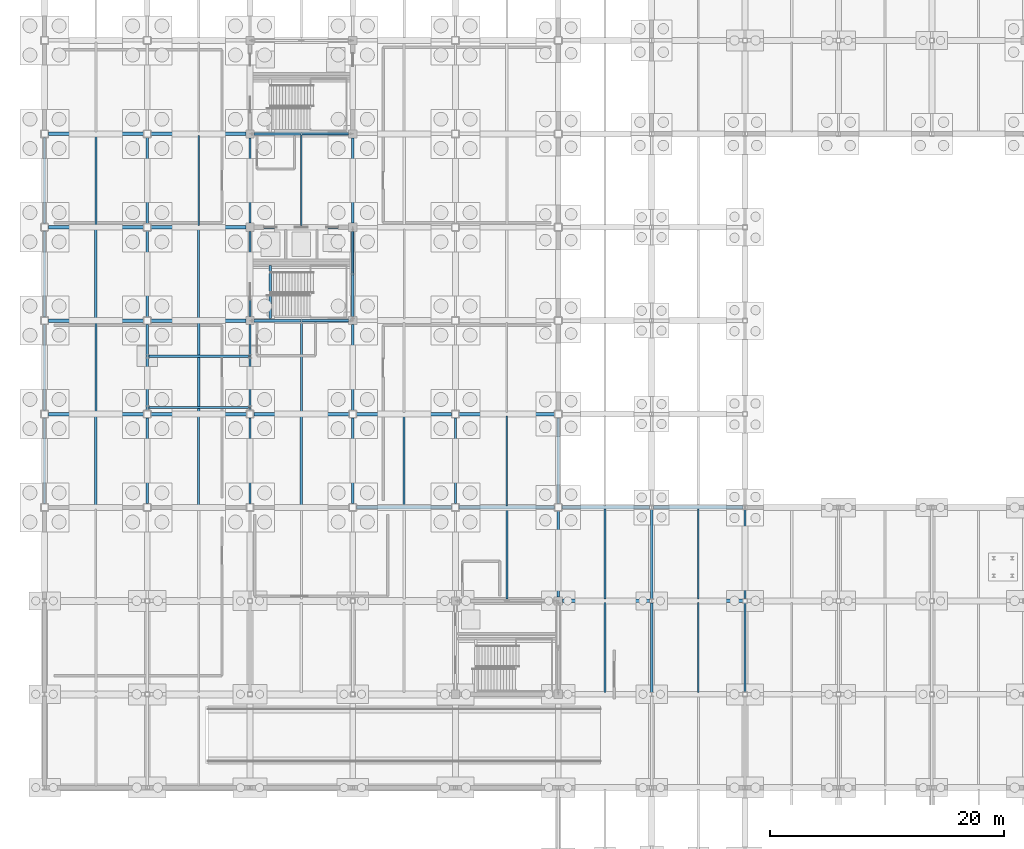
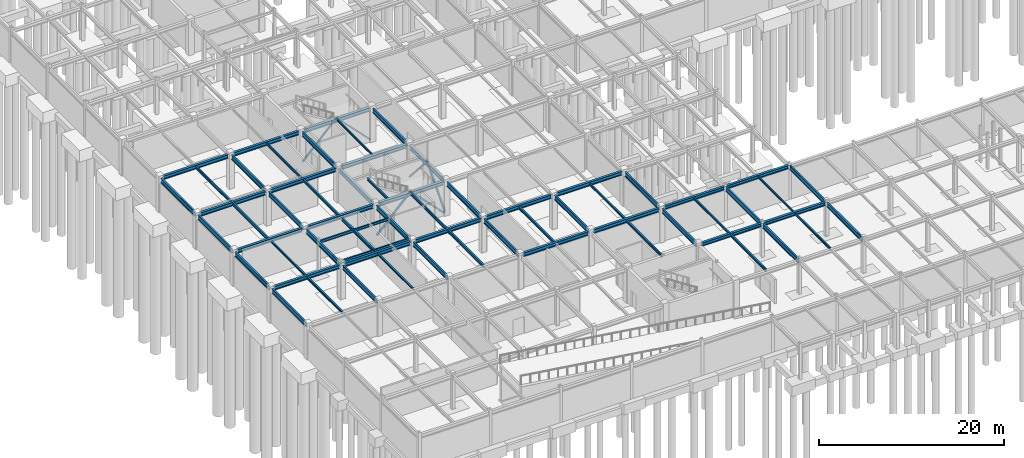
# One storey, part 33 of 72: 64 beams, 6 members.
"""IFC4 building model written with IfcOpenShell, lengths in metres."""

import ifcopenshell
import ifcopenshell.guid

model = None  # the IFC model being written
_history = None  # IfcOwnerHistory: only IFC2X3 demands one
_inside = {}  # id of a spatial element -> (the spatial element, [elements in it])
_under = {}  # id of a project, library or spatial element -> (it, [spatial elements below it])
_declared = {}  # id of a project -> (the project, [libraries it declares])
_typed = {}  # id of a type object -> (the type object, [elements of that type])
_made_of = {}  # id of a material, layer set ... -> (it, [elements and type objects made of it])


def new_model(schema):
    """Start an empty IFC model of exactly this schema.

    Asked for "IFC4X3", IfcOpenShell would pick the latest addendum, in which some entities
    have other attributes; the version numbers below select the first issue.
    IFC2X3 requires an IfcOwnerHistory on every rooted entity: one is made here for all.
    """
    global model, _history
    if schema == "IFC4X3":
        model = ifcopenshell.file(schema_version=(4, 3, 0, 0))
    else:
        model = ifcopenshell.file(schema=schema)
    _inside.clear()
    _under.clear()
    _declared.clear()
    _typed.clear()
    _made_of.clear()
    _history = None
    if model.schema == "IFC2X3":
        org = make("IfcOrganization", Name="unknown")
        user = make(
            "IfcPersonAndOrganization",
            ThePerson=make("IfcPerson", FamilyName="unknown"),
            TheOrganization=org,
        )
        app = make(
            "IfcApplication",
            ApplicationDeveloper=org,
            Version="unknown",
            ApplicationFullName="unknown",
            ApplicationIdentifier="unknown",
        )
        _history = make(
            "IfcOwnerHistory",
            OwningUser=user,
            OwningApplication=app,
            ChangeAction="ADDED",
            CreationDate=0,
        )
    return model


def make(cls, **values):
    """One entity of the class cls with the attributes given. An attribute that is None is left unset."""
    return model.create_entity(
        cls, **{name: value for name, value in values.items() if value is not None}
    )


def rooted(cls, **values):
    """An entity with a GlobalId (a new one), such as an element, a storey or a relation."""
    return make(cls, GlobalId=ifcopenshell.guid.new(), OwnerHistory=_history, **values)


def si_unit(unit_type, name, prefix=None):
    """IfcSIUnit, for example si_unit("LENGTHUNIT", "METRE", prefix="MILLI")."""
    return make("IfcSIUnit", UnitType=unit_type, Prefix=prefix, Name=name)


def assignment(units):
    """IfcUnitAssignment: the units of a project."""
    return None if units is None else make("IfcUnitAssignment", Units=units)


def point(xyz):
    """IfcCartesianPoint."""
    return None if xyz is None else make("IfcCartesianPoint", Coordinates=xyz)


def direction(xyz):
    """IfcDirection."""
    return None if xyz is None else make("IfcDirection", DirectionRatios=xyz)


def frame(location, z_axis=None, x_axis=None):
    """IfcAxis2Placement3D, a coordinate frame: its origin and axes. An axis left out is left unset."""
    return make(
        "IfcAxis2Placement3D",
        Location=point(location),
        Axis=direction(z_axis),
        RefDirection=direction(x_axis),
    )


def frame_2d(location, x_axis=None):
    """IfcAxis2Placement2D, a coordinate frame in the plane: its origin and x axis."""
    return make(
        "IfcAxis2Placement2D", Location=point(location), RefDirection=direction(x_axis)
    )


def origin():
    """The frame at (0, 0, 0) with its axes left unset."""
    return frame((0.0, 0.0, 0.0))


def origin_2d():
    """The frame at (0, 0) in the plane with its x axis left unset."""
    return frame_2d((0.0, 0.0))


def place(relative_to, where):
    """IfcLocalPlacement: puts the frame where relative to a parent placement (None: the world)."""
    return make(
        "IfcLocalPlacement", PlacementRelTo=relative_to, RelativePlacement=where
    )


def context(
    kind, dimensions, precision=None, world=None, true_north=None, identifier=None
):
    """IfcGeometricRepresentationContext, for example the 3D "Model" context."""
    return make(
        "IfcGeometricRepresentationContext",
        ContextIdentifier=identifier,
        ContextType=kind,
        CoordinateSpaceDimension=dimensions,
        Precision=precision,
        WorldCoordinateSystem=world,
        TrueNorth=true_north,
    )


def subcontext(parent, identifier, kind, view, scale=None):
    """IfcGeometricRepresentationSubContext, for example "Body" below "Model"."""
    return make(
        "IfcGeometricRepresentationSubContext",
        ContextIdentifier=identifier,
        ContextType=kind,
        ParentContext=parent,
        TargetScale=scale,
        TargetView=view,
    )


def project(units=None, contexts=None):
    """IfcProject with its units and contexts."""
    return rooted(
        "IfcProject",
        Name="project",
        RepresentationContexts=contexts,
        UnitsInContext=assignment(units),
    )


def spatial(cls, under=None, at=None, **own):
    """A site, building, storey or space (cls), placed at a placement, below another one or the project."""
    s = rooted(cls, ObjectPlacement=at, **own)
    if under is not None:
        _under.setdefault(under.id(), (under, []))[1].append(s)
    return s


def profile(cls, at=None, kind="AREA", **sizes):
    """A parametric profile (cls). Its sizes go by their IFC names, for example OverallWidth=200.0."""
    return make(cls, ProfileType=kind, Position=at, **sizes)


def hollow_rectangle(**sizes):
    """IfcRectangleHollowProfileDef."""
    return profile("IfcRectangleHollowProfileDef", **sizes)


def i_section(**sizes):
    """IfcIShapeProfileDef."""
    return profile("IfcIShapeProfileDef", **sizes)


def extrude(swept, where, along, depth):
    """IfcExtrudedAreaSolid: the profile swept, set in the frame where, extruded along a direction by depth."""
    return make(
        "IfcExtrudedAreaSolid",
        SweptArea=swept,
        Position=where,
        ExtrudedDirection=direction(along),
        Depth=depth,
    )


def shape(context_of_items, identifier, shape_type, items):
    """IfcShapeRepresentation: the items that make up one representation, for example the "Body"."""
    return make(
        "IfcShapeRepresentation",
        ContextOfItems=context_of_items,
        RepresentationIdentifier=identifier,
        RepresentationType=shape_type,
        Items=items,
    )


def material(Name=None, Category=None):
    """IfcMaterial."""
    return make("IfcMaterial", Name=Name, Category=Category)


def material_profile(
    of_material, cross_section, Name=None, Category=None, Priority=None
):
    """IfcMaterialProfile: a cross section and its material."""
    return make(
        "IfcMaterialProfile",
        Name=Name,
        Material=of_material,
        Profile=cross_section,
        Priority=Priority,
        Category=Category,
    )


def profile_set(profiles, Name=None, composite=None):
    """IfcMaterialProfileSet."""
    return make(
        "IfcMaterialProfileSet",
        Name=Name,
        MaterialProfiles=profiles,
        CompositeProfile=composite,
    )


def made_of(thing, what):
    """Note that an element or type object is made of a material, layer set ...; save() writes the relation."""
    if what is not None:
        _made_of.setdefault(what.id(), (what, []))[1].append(thing)
    return thing


def type_object(cls, material=None, **own):
    """A type object (cls), such as IfcWallType, which elements share."""
    return made_of(rooted(cls, **own), material)


def element(
    cls,
    number,
    at=None,
    inside=None,
    cuts=None,
    type_object=None,
    material=None,
    context=None,
    identifier="Body",
    shape_type=None,
    held_by="IfcProductDefinitionShape",
    body=None,
    shapes=None,
    **own,
):
    """One element of the class cls, such as IfcWall. Its Tag is "e" and its number.

    at: its placement. inside: the storey or other place that contains it. cuts: it is an
    opening in that element (IfcRelVoidsElement). A single representation is given by context,
    identifier, shape_type and body (its items); several are given by shapes. held_by: the class
    of the entity that holds the representations. save() writes the other relations.
    """
    e = rooted(cls, Tag="e%d" % number, ObjectPlacement=at, **own)
    if body is not None:
        shapes = [shape(context, identifier, shape_type, body)]
    if shapes is not None:
        e.Representation = make(held_by, Representations=shapes)
    if inside is not None:
        _inside.setdefault(inside.id(), (inside, []))[1].append(e)
    if cuts is not None:
        rooted(
            "IfcRelVoidsElement", RelatingBuildingElement=cuts, RelatedOpeningElement=e
        )
    if type_object is not None:
        _typed.setdefault(type_object.id(), (type_object, []))[1].append(e)
    return made_of(e, material)


def aggregate(whole, parts):
    """IfcRelAggregates: a whole, such as a stair, and the parts it consists of."""
    return rooted("IfcRelAggregates", RelatingObject=whole, RelatedObjects=parts)


def save(model, path):
    """Write the relations noted so far, then the file.

    IfcRelAggregates (storeys below a building ...), IfcRelContainedInSpatialStructure (elements
    in a storey), IfcRelDefinesByType, IfcRelAssociatesMaterial and IfcRelDeclares: one each for
    every whole, place, type object, material and project.
    """
    for whole, parts in _under.values():
        aggregate(whole, parts)
    for where, things in _inside.values():
        rooted(
            "IfcRelContainedInSpatialStructure",
            RelatedElements=things,
            RelatingStructure=where,
        )
    for kind, things in _typed.values():
        rooted("IfcRelDefinesByType", RelatedObjects=things, RelatingType=kind)
    for what, things in _made_of.values():
        rooted("IfcRelAssociatesMaterial", RelatedObjects=things, RelatingMaterial=what)
    for by, libraries in _declared.values():
        rooted("IfcRelDeclares", RelatingContext=by, RelatedDefinitions=libraries)
    model.write(path)


model = new_model("IFC4")

# Units and contexts
model_context = context("Model", 3, precision=1e-05, world=origin(), true_north=direction((0.0, 1.0)))
body_context = subcontext(model_context, "Body", "Model", "MODEL_VIEW")
ifc_project = project(units=[si_unit("LENGTHUNIT", "METRE"), si_unit("AREAUNIT", "SQUARE_METRE"), si_unit("VOLUMEUNIT", "CUBIC_METRE"), si_unit("PLANEANGLEUNIT", "RADIAN"), si_unit("MASSUNIT", "GRAM", prefix="KILO")], contexts=[model_context])

# Site, building, storey
site_placement = place(None, origin())
site = spatial("IfcSite", under=ifc_project, at=site_placement, CompositionType="ELEMENT")
building_placement = place(site_placement, origin())
building = spatial("IfcBuilding", under=site, at=building_placement, Name="Zhaolan Boulevard Law Courts", CompositionType="ELEMENT")
storey_placement = place(building_placement, frame((0.0, 0.0, -4.800048828125)))
storey = spatial("IfcBuildingStorey", under=building, at=storey_placement, Name="B1", CompositionType="ELEMENT", Elevation=-4.800048828125)

# Members
ifc_material_1 = material(Name="Structural steel Q355B", Category="steel")
ifc_material_profile_1 = material_profile(ifc_material_1, hollow_rectangle(XDim=0.159912109375, YDim=0.159912109375, WallThickness=0.008056640625, InnerFilletRadius=0.008056640625, OuterFilletRadius=0.01611328125, at=origin_2d()), Name="HSS160x160x8")
ifc_profile_set_1 = profile_set([ifc_material_profile_1], Name="Structural steel Q355B")
member_type_1 = type_object("IfcMemberType", Name="BRACE HSS160", PredefinedType="BRACE", material=ifc_profile_set_1)
member_1_placement = place(storey_placement, frame((26.219970703125, 62.0, 0.199951171875), z_axis=(-0.698770796904, 0.0, 0.715345632121), x_axis=(0.0, -1.0, 0.0)))
element("IfcMember", 1, at=member_1_placement, inside=storey, type_object=member_type_1, Name="Core Brace BR-W2-B1-S2", PredefinedType="BRACE", context=body_context, shape_type="SweptSolid", body=[
    extrude(hollow_rectangle(XDim=0.159912109375, YDim=0.159912109375, WallThickness=0.008056640625, InnerFilletRadius=0.008056640625, OuterFilletRadius=0.01611328125, at=origin_2d()), origin(), (0.0, 0.0, 1.0), 6.0390625),
])
ifc_material_2 = material(Name="Structural steel Q355B", Category="steel")
ifc_material_profile_2 = material_profile(ifc_material_2, hollow_rectangle(XDim=0.179931640625, YDim=0.179931640625, WallThickness=0.008056640625, InnerFilletRadius=0.008056640625, OuterFilletRadius=0.01611328125, at=origin_2d()), Name="HSS180x180x8")
ifc_profile_set_2 = profile_set([ifc_material_profile_2], Name="Structural steel Q355B")
member_type_2 = type_object("IfcMemberType", Name="BRACE HSS180", PredefinedType="BRACE", material=ifc_profile_set_2)
member_2_placement = place(storey_placement, frame((26.39990234375, 53.820068359375, 0.199951171875), z_axis=(0.0, -0.662424974315, 0.749128262318), x_axis=(1.0, 0.0, 0.0)))
element("IfcMember", 2, at=member_2_placement, inside=storey, type_object=member_type_2, Name="Core Brace BR-W1-B1-E2", PredefinedType="BRACE", context=body_context, shape_type="SweptSolid", body=[
    extrude(hollow_rectangle(XDim=0.179931640625, YDim=0.179931640625, WallThickness=0.008056640625, InnerFilletRadius=0.008056640625, OuterFilletRadius=0.01611328125, at=origin_2d()), origin(), (0.0, 0.0, 1.0), 5.766845703125),
])
member_3_placement = place(storey_placement, frame((17.780029296875, 62.0, 0.199951171875), z_axis=(0.698770796904, 0.0, 0.715345632121), x_axis=(0.0, 1.0, 0.0)))
element("IfcMember", 3, at=member_3_placement, inside=storey, type_object=member_type_2, Name="Core Brace BR-W2-B1-S1", PredefinedType="BRACE", context=body_context, shape_type="SweptSolid", body=[
    extrude(hollow_rectangle(XDim=0.179931640625, YDim=0.179931640625, WallThickness=0.008056640625, InnerFilletRadius=0.008056640625, OuterFilletRadius=0.01611328125, at=origin_2d()), origin(), (0.0, 0.0, 1.0), 6.0390625),
])
ifc_material_3 = material(Name="Structural steel Q355B", Category="steel")
ifc_material_profile_3 = material_profile(ifc_material_3, hollow_rectangle(XDim=0.199951171875, YDim=0.199951171875, WallThickness=0.010009765625, InnerFilletRadius=0.010009765625, OuterFilletRadius=0.02001953125, at=origin_2d()), Name="HSS200x200x10")
ifc_profile_set_3 = profile_set([ifc_material_profile_3], Name="Structural steel Q355B")
member_type_3 = type_object("IfcMemberType", Name="BRACE HSS200", PredefinedType="BRACE", material=ifc_profile_set_3)
member_4_placement = place(storey_placement, frame((26.219970703125, 46.0, 0.199951171875), z_axis=(-0.698770796904, 0.0, 0.715345632121), x_axis=(0.0, -1.0, 0.0)))
element("IfcMember", 4, at=member_4_placement, inside=storey, type_object=member_type_3, Name="Core Brace BR-W1-B1-S2", PredefinedType="BRACE", context=body_context, shape_type="SweptSolid", body=[
    extrude(hollow_rectangle(XDim=0.199951171875, YDim=0.199951171875, WallThickness=0.010009765625, InnerFilletRadius=0.010009765625, OuterFilletRadius=0.02001953125, at=origin_2d()), origin(), (0.0, 0.0, 1.0), 6.0390625),
])
member_5_placement = place(storey_placement, frame((26.39990234375, 46.179931640625, 0.199951171875), z_axis=(0.0, 0.662424974315, 0.749128262318), x_axis=(-1.0, 0.0, 0.0)))
element("IfcMember", 5, at=member_5_placement, inside=storey, type_object=member_type_3, Name="Core Brace BR-W1-B1-E1", PredefinedType="BRACE", context=body_context, shape_type="SweptSolid", body=[
    extrude(hollow_rectangle(XDim=0.199951171875, YDim=0.199951171875, WallThickness=0.010009765625, InnerFilletRadius=0.010009765625, OuterFilletRadius=0.02001953125, at=origin_2d()), origin(), (0.0, 0.0, 1.0), 5.766845703125),
])
ifc_material_4 = material(Name="Structural steel Q355B", Category="steel")
ifc_material_profile_4 = material_profile(ifc_material_4, hollow_rectangle(XDim=0.219970703125, YDim=0.219970703125, WallThickness=0.010009765625, InnerFilletRadius=0.010009765625, OuterFilletRadius=0.02001953125, at=origin_2d()), Name="HSS220x220x10")
ifc_profile_set_4 = profile_set([ifc_material_profile_4], Name="Structural steel Q355B")
member_type_4 = type_object("IfcMemberType", Name="BRACE HSS220", PredefinedType="BRACE", material=ifc_profile_set_4)
member_6_placement = place(storey_placement, frame((17.780029296875, 46.0, 0.199951171875), z_axis=(0.698770796904, 0.0, 0.715345632121), x_axis=(0.0, 1.0, 0.0)))
element("IfcMember", 6, at=member_6_placement, inside=storey, type_object=member_type_4, Name="Core Brace BR-W1-B1-S1", PredefinedType="BRACE", context=body_context, shape_type="SweptSolid", body=[
    extrude(hollow_rectangle(XDim=0.219970703125, YDim=0.219970703125, WallThickness=0.010009765625, InnerFilletRadius=0.010009765625, OuterFilletRadius=0.02001953125, at=origin_2d()), origin(), (0.0, 0.0, 1.0), 6.0390625),
])

# Beams
ifc_material_5 = material(Name="Structural steel Q355B", Category="steel")
ifc_material_profile_5 = material_profile(ifc_material_5, i_section(OverallWidth=0.300048828125, OverallDepth=0.43994140625, WebThickness=0.010986328125, FlangeThickness=0.01806640625, FilletRadius=0.02001953125, at=origin_2d()), Name="HM440x300")
ifc_profile_set_5 = profile_set([ifc_material_profile_5], Name="Structural steel Q355B")
beam_type_1 = type_object("IfcBeamType", Name="GIRDER HM440", PredefinedType="BEAM", material=ifc_profile_set_5)
beam_1_placement = place(storey_placement, frame((44.345947265625, 22.0, 4.278076171875), z_axis=(1.0, 0.0, 0.0), x_axis=(0.0, 1.0, 0.0)))
element("IfcBeam", 7, at=beam_1_placement, inside=storey, type_object=beam_type_1, Name="Beam BX-L00-6-7-D", PredefinedType="BEAM", context=body_context, shape_type="SweptSolid", body=[
    extrude(i_section(OverallWidth=0.300048828125, OverallDepth=0.43994140625, WebThickness=0.010986328125, FlangeThickness=0.01806640625, FilletRadius=0.02001953125, at=origin_2d()), origin(), (0.0, 0.0, 1.0), 7.483154296875),
])
beam_2_placement = place(storey_placement, frame((52.1708984375, 22.0, 4.278076171875), z_axis=(1.0, 0.0, 0.0), x_axis=(0.0, 1.0, 0.0)))
element("IfcBeam", 8, at=beam_2_placement, inside=storey, type_object=beam_type_1, Name="Beam BX-L00-7-8-D", PredefinedType="BEAM", context=body_context, shape_type="SweptSolid", body=[
    extrude(i_section(OverallWidth=0.300048828125, OverallDepth=0.43994140625, WebThickness=0.010986328125, FlangeThickness=0.01806640625, FilletRadius=0.02001953125, at=origin_2d()), origin(), (0.0, 0.0, 1.0), 7.633056640625),
])
beam_3_placement = place(storey_placement, frame((44.321044921875, 30.0, 4.278076171875), z_axis=(1.0, 0.0, 0.0), x_axis=(0.0, 1.0, 0.0)))
element("IfcBeam", 9, at=beam_3_placement, inside=storey, type_object=beam_type_1, Name="Beam BX-L00-6-7-E", PredefinedType="BEAM", context=body_context, shape_type="SweptSolid", body=[
    extrude(i_section(OverallWidth=0.300048828125, OverallDepth=0.43994140625, WebThickness=0.010986328125, FlangeThickness=0.01806640625, FilletRadius=0.02001953125, at=origin_2d()), origin(), (0.0, 0.0, 1.0), 7.508056640625),
])
beam_4_placement = place(storey_placement, frame((52.1708984375, 30.0, 4.278076171875), z_axis=(1.0, 0.0, 0.0), x_axis=(0.0, 1.0, 0.0)))
element("IfcBeam", 10, at=beam_4_placement, inside=storey, type_object=beam_type_1, Name="Beam BX-L00-7-8-E", PredefinedType="BEAM", context=body_context, shape_type="SweptSolid", body=[
    extrude(i_section(OverallWidth=0.300048828125, OverallDepth=0.43994140625, WebThickness=0.010986328125, FlangeThickness=0.01806640625, FilletRadius=0.02001953125, at=origin_2d()), origin(), (0.0, 0.0, 1.0), 7.658203125),
])
ifc_material_6 = material(Name="Structural steel Q355B", Category="steel")
ifc_material_profile_6 = material_profile(ifc_material_6, i_section(OverallWidth=0.300048828125, OverallDepth=0.488037109375, WebThickness=0.010986328125, FlangeThickness=0.01806640625, FilletRadius=0.02197265625, at=origin_2d()), Name="HM488x300")
ifc_profile_set_6 = profile_set([ifc_material_profile_6], Name="Structural steel Q355B")
beam_type_2 = type_object("IfcBeamType", Name="GIRDER HM500", PredefinedType="BEAM", material=ifc_profile_set_6)
for number, where, z_axis, x_axis, name in (
    (11, (26.720947265625, 30.0, 4.254150390625), (1.0, 0.0, 0.0), (0.0, 1.0, 0.0), "Beam BX-L00-4-5-E"),
    (12, (35.52099609375, 30.0, 4.254150390625), (1.0, 0.0, 0.0), (0.0, 1.0, 0.0), "Beam BX-L00-5-6-E"),
    (13, (0.321044921875, 38.0, 4.254150390625), (1.0, 0.0, 0.0), (0.0, 1.0, 0.0), "Beam BX-L00-1-2-F"),
    (14, (9.12109375, 38.0, 4.254150390625), (1.0, 0.0, 0.0), (0.0, 1.0, 0.0), "Beam BX-L00-2-3-F"),
):
    element("IfcBeam", number, at=place(storey_placement, frame(where, z_axis=z_axis, x_axis=x_axis)), inside=storey, type_object=beam_type_2, Name=name, PredefinedType="BEAM", context=body_context, shape_type="SweptSolid", body=[
        extrude(i_section(OverallWidth=0.300048828125, OverallDepth=0.488037109375, WebThickness=0.010986328125, FlangeThickness=0.01806640625, FilletRadius=0.02197265625, at=origin_2d()), origin(), (0.0, 0.0, 1.0), 8.157958984375),
    ])
beam_5_placement = place(storey_placement, frame((17.9208984375, 38.0, 4.254150390625), z_axis=(1.0, 0.0, 0.0), x_axis=(0.0, 1.0, 0.0)))
element("IfcBeam", 15, at=beam_5_placement, inside=storey, type_object=beam_type_2, Name="Beam BX-L00-3-4-F", PredefinedType="BEAM", context=body_context, shape_type="SweptSolid", body=[
    extrude(i_section(OverallWidth=0.300048828125, OverallDepth=0.488037109375, WebThickness=0.010986328125, FlangeThickness=0.01806640625, FilletRadius=0.02197265625, at=origin_2d()), origin(), (0.0, 0.0, 1.0), 8.158203125),
])
for number, where, z_axis, x_axis, name in (
    (16, (26.720947265625, 38.0, 4.254150390625), (1.0, 0.0, 0.0), (0.0, 1.0, 0.0), "Beam BX-L00-4-5-F"),
    (17, (35.52099609375, 38.0, 4.254150390625), (1.0, 0.0, 0.0), (0.0, 1.0, 0.0), "Beam BX-L00-5-6-F"),
    (18, (0.321044921875, 46.0, 4.254150390625), (1.0, 0.0, 0.0), (0.0, 1.0, 0.0), "Beam BX-L00-1-2-G"),
):
    element("IfcBeam", number, at=place(storey_placement, frame(where, z_axis=z_axis, x_axis=x_axis)), inside=storey, type_object=beam_type_2, Name=name, PredefinedType="BEAM", context=body_context, shape_type="SweptSolid", body=[
        extrude(i_section(OverallWidth=0.300048828125, OverallDepth=0.488037109375, WebThickness=0.010986328125, FlangeThickness=0.01806640625, FilletRadius=0.02197265625, at=origin_2d()), origin(), (0.0, 0.0, 1.0), 8.157958984375),
    ])
beam_6_placement = place(storey_placement, frame((9.12109375, 46.0, 4.254150390625), z_axis=(1.0, 0.0, 0.0), x_axis=(0.0, 1.0, 0.0)))
element("IfcBeam", 19, at=beam_6_placement, inside=storey, type_object=beam_type_2, Name="Beam BX-L00-2-3-G", PredefinedType="BEAM", context=body_context, shape_type="SweptSolid", body=[
    extrude(i_section(OverallWidth=0.300048828125, OverallDepth=0.488037109375, WebThickness=0.010986328125, FlangeThickness=0.01806640625, FilletRadius=0.02197265625, at=origin_2d()), origin(), (0.0, 0.0, 1.0), 8.1328125),
])
beam_7_placement = place(storey_placement, frame((17.946044921875, 46.0, 4.254150390625), z_axis=(1.0, 0.0, 0.0), x_axis=(0.0, 1.0, 0.0)))
element("IfcBeam", 20, at=beam_7_placement, inside=storey, type_object=beam_type_2, Name="Beam BX-L00-3-4-G", PredefinedType="BEAM", context=body_context, shape_type="SweptSolid", body=[
    extrude(i_section(OverallWidth=0.300048828125, OverallDepth=0.488037109375, WebThickness=0.010986328125, FlangeThickness=0.01806640625, FilletRadius=0.02197265625, at=origin_2d()), origin(), (0.0, 0.0, 1.0), 8.10791015625),
])
beam_8_placement = place(storey_placement, frame((0.321044921875, 54.0, 4.254150390625), z_axis=(1.0, 0.0, 0.0), x_axis=(0.0, 1.0, 0.0)))
element("IfcBeam", 21, at=beam_8_placement, inside=storey, type_object=beam_type_2, Name="Beam BX-L00-1-2-H", PredefinedType="BEAM", context=body_context, shape_type="SweptSolid", body=[
    extrude(i_section(OverallWidth=0.300048828125, OverallDepth=0.488037109375, WebThickness=0.010986328125, FlangeThickness=0.01806640625, FilletRadius=0.02197265625, at=origin_2d()), origin(), (0.0, 0.0, 1.0), 8.157958984375),
])
beam_9_placement = place(storey_placement, frame((9.12109375, 54.0, 4.254150390625), z_axis=(1.0, 0.0, 0.0), x_axis=(0.0, 1.0, 0.0)))
element("IfcBeam", 22, at=beam_9_placement, inside=storey, type_object=beam_type_2, Name="Beam BX-L00-2-3-H", PredefinedType="BEAM", context=body_context, shape_type="SweptSolid", body=[
    extrude(i_section(OverallWidth=0.300048828125, OverallDepth=0.488037109375, WebThickness=0.010986328125, FlangeThickness=0.01806640625, FilletRadius=0.02197265625, at=origin_2d()), origin(), (0.0, 0.0, 1.0), 8.1328125),
])
beam_10_placement = place(storey_placement, frame((17.946044921875, 54.0, 4.254150390625), z_axis=(1.0, 0.0, 0.0), x_axis=(0.0, 1.0, 0.0)))
element("IfcBeam", 23, at=beam_10_placement, inside=storey, type_object=beam_type_2, Name="Beam BX-L00-3-4-H", PredefinedType="BEAM", context=body_context, shape_type="SweptSolid", body=[
    extrude(i_section(OverallWidth=0.300048828125, OverallDepth=0.488037109375, WebThickness=0.010986328125, FlangeThickness=0.01806640625, FilletRadius=0.02197265625, at=origin_2d()), origin(), (0.0, 0.0, 1.0), 8.10791015625),
])
beam_11_placement = place(storey_placement, frame((0.321044921875, 62.0, 4.254150390625), z_axis=(1.0, 0.0, 0.0), x_axis=(0.0, 1.0, 0.0)))
element("IfcBeam", 24, at=beam_11_placement, inside=storey, type_object=beam_type_2, Name="Beam BX-L00-1-2-J", PredefinedType="BEAM", context=body_context, shape_type="SweptSolid", body=[
    extrude(i_section(OverallWidth=0.300048828125, OverallDepth=0.488037109375, WebThickness=0.010986328125, FlangeThickness=0.01806640625, FilletRadius=0.02197265625, at=origin_2d()), origin(), (0.0, 0.0, 1.0), 8.157958984375),
])
beam_12_placement = place(storey_placement, frame((9.12109375, 62.0, 4.254150390625), z_axis=(1.0, 0.0, 0.0), x_axis=(0.0, 1.0, 0.0)))
element("IfcBeam", 25, at=beam_12_placement, inside=storey, type_object=beam_type_2, Name="Beam BX-L00-2-3-J", PredefinedType="BEAM", context=body_context, shape_type="SweptSolid", body=[
    extrude(i_section(OverallWidth=0.300048828125, OverallDepth=0.488037109375, WebThickness=0.010986328125, FlangeThickness=0.01806640625, FilletRadius=0.02197265625, at=origin_2d()), origin(), (0.0, 0.0, 1.0), 8.1328125),
])
beam_13_placement = place(storey_placement, frame((17.946044921875, 62.0, 4.254150390625), z_axis=(1.0, 0.0, 0.0), x_axis=(0.0, 1.0, 0.0)))
element("IfcBeam", 26, at=beam_13_placement, inside=storey, type_object=beam_type_2, Name="Beam BX-L00-3-4-J", PredefinedType="BEAM", context=body_context, shape_type="SweptSolid", body=[
    extrude(i_section(OverallWidth=0.300048828125, OverallDepth=0.488037109375, WebThickness=0.010986328125, FlangeThickness=0.01806640625, FilletRadius=0.02197265625, at=origin_2d()), origin(), (0.0, 0.0, 1.0), 8.10791015625),
])
ifc_material_7 = material(Name="Structural steel Q355B", Category="steel")
ifc_material_profile_7 = material_profile(ifc_material_7, i_section(OverallWidth=0.199951171875, OverallDepth=0.60009765625, WebThickness=0.010986328125, FlangeThickness=0.01708984375, FilletRadius=0.02001953125, at=origin_2d()), Name="HN600x200")
ifc_profile_set_7 = profile_set([ifc_material_profile_7], Name="Structural steel Q355B")
beam_type_3 = type_object("IfcBeamType", Name="GIRDER HN600", PredefinedType="BEAM", material=ifc_profile_set_7)
for number, where, z_axis, x_axis, name in (
    (27, (0.0, 30.321044921875, 4.197998046875), (0.0, 1.0, 0.0), (-1.0, 0.0, 0.0), "Beam BY-L00-1-E-F"),
    (28, (0.0, 38.321044921875, 4.197998046875), (0.0, 1.0, 0.0), (-1.0, 0.0, 0.0), "Beam BY-L00-1-F-G"),
    (29, (0.0, 46.321044921875, 4.197998046875), (0.0, 1.0, 0.0), (-1.0, 0.0, 0.0), "Beam BY-L00-1-G-H"),
    (30, (0.0, 54.321044921875, 4.197998046875), (0.0, 1.0, 0.0), (-1.0, 0.0, 0.0), "Beam BY-L00-1-H-J"),
    (31, (8.800048828125, 30.321044921875, 4.197998046875), (0.0, 1.0, 0.0), (-1.0, 0.0, 0.0), "Beam BY-L00-2-E-F"),
    (32, (8.800048828125, 38.321044921875, 4.197998046875), (0.0, 1.0, 0.0), (-1.0, 0.0, 0.0), "Beam BY-L00-2-F-G"),
    (33, (8.800048828125, 46.321044921875, 4.197998046875), (0.0, 1.0, 0.0), (-1.0, 0.0, 0.0), "Beam BY-L00-2-G-H"),
    (34, (8.800048828125, 54.321044921875, 4.197998046875), (0.0, 1.0, 0.0), (-1.0, 0.0, 0.0), "Beam BY-L00-2-H-J"),
    (35, (17.60009765625, 30.321044921875, 4.197998046875), (0.0, 1.0, 0.0), (-1.0, 0.0, 0.0), "Beam BY-L00-3-E-F"),
):
    element("IfcBeam", number, at=place(storey_placement, frame(where, z_axis=z_axis, x_axis=x_axis)), inside=storey, type_object=beam_type_3, Name=name, PredefinedType="BEAM", context=body_context, shape_type="SweptSolid", body=[
        extrude(i_section(OverallWidth=0.199951171875, OverallDepth=0.60009765625, WebThickness=0.010986328125, FlangeThickness=0.01708984375, FilletRadius=0.02001953125, at=origin_2d()), origin(), (0.0, 0.0, 1.0), 7.35791015625),
    ])
beam_14_placement = place(storey_placement, frame((17.60009765625, 38.321044921875, 4.197998046875), z_axis=(0.0, 1.0, 0.0), x_axis=(-1.0, 0.0, 0.0)))
element("IfcBeam", 36, at=beam_14_placement, inside=storey, type_object=beam_type_3, Name="Beam BY-L00-3-F-G", PredefinedType="BEAM", context=body_context, shape_type="SweptSolid", body=[
    extrude(i_section(OverallWidth=0.199951171875, OverallDepth=0.60009765625, WebThickness=0.010986328125, FlangeThickness=0.01708984375, FilletRadius=0.02001953125, at=origin_2d()), origin(), (0.0, 0.0, 1.0), 7.3330078125),
])
for number, where, z_axis, x_axis, name in (
    (37, (17.60009765625, 46.345947265625, 4.197998046875), (0.0, 1.0, 0.0), (-1.0, 0.0, 0.0), "Beam BY-L00-3-G-H"),
    (38, (17.60009765625, 54.345947265625, 4.197998046875), (0.0, 1.0, 0.0), (-1.0, 0.0, 0.0), "Beam BY-L00-3-H-J"),
):
    element("IfcBeam", number, at=place(storey_placement, frame(where, z_axis=z_axis, x_axis=x_axis)), inside=storey, type_object=beam_type_3, Name=name, PredefinedType="BEAM", context=body_context, shape_type="SweptSolid", body=[
        extrude(i_section(OverallWidth=0.199951171875, OverallDepth=0.60009765625, WebThickness=0.010986328125, FlangeThickness=0.01708984375, FilletRadius=0.02001953125, at=origin_2d()), origin(), (0.0, 0.0, 1.0), 7.30810546875),
    ])
beam_15_placement = place(storey_placement, frame((26.39990234375, 30.321044921875, 4.197998046875), z_axis=(0.0, 1.0, 0.0), x_axis=(-1.0, 0.0, 0.0)))
element("IfcBeam", 39, at=beam_15_placement, inside=storey, type_object=beam_type_3, Name="Beam BY-L00-4-E-F", PredefinedType="BEAM", context=body_context, shape_type="SweptSolid", body=[
    extrude(i_section(OverallWidth=0.199951171875, OverallDepth=0.60009765625, WebThickness=0.010986328125, FlangeThickness=0.01708984375, FilletRadius=0.02001953125, at=origin_2d()), origin(), (0.0, 0.0, 1.0), 7.35791015625),
])
beam_16_placement = place(storey_placement, frame((26.39990234375, 38.321044921875, 4.197998046875), z_axis=(0.0, 1.0, 0.0), x_axis=(-1.0, 0.0, 0.0)))
element("IfcBeam", 40, at=beam_16_placement, inside=storey, type_object=beam_type_3, Name="Beam BY-L00-4-F-G", PredefinedType="BEAM", context=body_context, shape_type="SweptSolid", body=[
    extrude(i_section(OverallWidth=0.199951171875, OverallDepth=0.60009765625, WebThickness=0.010986328125, FlangeThickness=0.01708984375, FilletRadius=0.02001953125, at=origin_2d()), origin(), (0.0, 0.0, 1.0), 7.3330078125),
])
for number, where, z_axis, x_axis, name in (
    (41, (26.39990234375, 46.345947265625, 4.197998046875), (0.0, 1.0, 0.0), (-1.0, 0.0, 0.0), "Beam BY-L00-4-G-H"),
    (42, (26.39990234375, 54.345947265625, 4.197998046875), (0.0, 1.0, 0.0), (-1.0, 0.0, 0.0), "Beam BY-L00-4-H-J"),
):
    element("IfcBeam", number, at=place(storey_placement, frame(where, z_axis=z_axis, x_axis=x_axis)), inside=storey, type_object=beam_type_3, Name=name, PredefinedType="BEAM", context=body_context, shape_type="SweptSolid", body=[
        extrude(i_section(OverallWidth=0.199951171875, OverallDepth=0.60009765625, WebThickness=0.010986328125, FlangeThickness=0.01708984375, FilletRadius=0.02001953125, at=origin_2d()), origin(), (0.0, 0.0, 1.0), 7.30810546875),
    ])
beam_17_placement = place(storey_placement, frame((35.199951171875, 30.321044921875, 4.197998046875), z_axis=(0.0, 1.0, 0.0), x_axis=(-1.0, 0.0, 0.0)))
element("IfcBeam", 43, at=beam_17_placement, inside=storey, type_object=beam_type_3, Name="Beam BY-L00-5-E-F", PredefinedType="BEAM", context=body_context, shape_type="SweptSolid", body=[
    extrude(i_section(OverallWidth=0.199951171875, OverallDepth=0.60009765625, WebThickness=0.010986328125, FlangeThickness=0.01708984375, FilletRadius=0.02001953125, at=origin_2d()), origin(), (0.0, 0.0, 1.0), 7.35791015625),
])
beam_18_placement = place(storey_placement, frame((44.0, 22.345947265625, 4.197998046875), z_axis=(0.0, 1.0, 0.0), x_axis=(-1.0, 0.0, 0.0)))
element("IfcBeam", 44, at=beam_18_placement, inside=storey, type_object=beam_type_3, Name="Beam BY-L00-6-D-E", PredefinedType="BEAM", context=body_context, shape_type="SweptSolid", body=[
    extrude(i_section(OverallWidth=0.199951171875, OverallDepth=0.60009765625, WebThickness=0.010986328125, FlangeThickness=0.01708984375, FilletRadius=0.02001953125, at=origin_2d()), origin(), (0.0, 0.0, 1.0), 7.3330078125),
])
beam_19_placement = place(storey_placement, frame((44.0, 30.321044921875, 4.197998046875), z_axis=(0.0, 1.0, 0.0), x_axis=(-1.0, 0.0, 0.0)))
element("IfcBeam", 45, at=beam_19_placement, inside=storey, type_object=beam_type_3, Name="Beam BY-L00-6-E-F", PredefinedType="BEAM", context=body_context, shape_type="SweptSolid", body=[
    extrude(i_section(OverallWidth=0.199951171875, OverallDepth=0.60009765625, WebThickness=0.010986328125, FlangeThickness=0.01708984375, FilletRadius=0.02001953125, at=origin_2d()), origin(), (0.0, 0.0, 1.0), 7.35791015625),
])
for number, where, z_axis, x_axis, name in (
    (46, (52.0, 14.1708984375, 4.197998046875), (0.0, 1.0, 0.0), (-1.0, 0.0, 0.0), "Beam BY-L00-7-C-D"),
    (47, (52.0, 22.1708984375, 4.197998046875), (0.0, 1.0, 0.0), (-1.0, 0.0, 0.0), "Beam BY-L00-7-D-E"),
):
    element("IfcBeam", number, at=place(storey_placement, frame(where, z_axis=z_axis, x_axis=x_axis)), inside=storey, type_object=beam_type_3, Name=name, PredefinedType="BEAM", context=body_context, shape_type="SweptSolid", body=[
        extrude(i_section(OverallWidth=0.199951171875, OverallDepth=0.60009765625, WebThickness=0.010986328125, FlangeThickness=0.01708984375, FilletRadius=0.02001953125, at=origin_2d()), origin(), (0.0, 0.0, 1.0), 7.658203125),
    ])
beam_20_placement = place(storey_placement, frame((60.0, 14.196044921875, 4.197998046875), z_axis=(0.0, 1.0, 0.0), x_axis=(-1.0, 0.0, 0.0)))
element("IfcBeam", 48, at=beam_20_placement, inside=storey, type_object=beam_type_3, Name="Beam BY-L00-8-C-D", PredefinedType="BEAM", context=body_context, shape_type="SweptSolid", body=[
    extrude(i_section(OverallWidth=0.199951171875, OverallDepth=0.60009765625, WebThickness=0.010986328125, FlangeThickness=0.01708984375, FilletRadius=0.02001953125, at=origin_2d()), origin(), (0.0, 0.0, 1.0), 7.60791015625),
])
beam_21_placement = place(storey_placement, frame((60.0, 22.196044921875, 4.197998046875), z_axis=(0.0, 1.0, 0.0), x_axis=(-1.0, 0.0, 0.0)))
element("IfcBeam", 49, at=beam_21_placement, inside=storey, type_object=beam_type_3, Name="Beam BY-L00-8-D-E", PredefinedType="BEAM", context=body_context, shape_type="SweptSolid", body=[
    extrude(i_section(OverallWidth=0.199951171875, OverallDepth=0.60009765625, WebThickness=0.010986328125, FlangeThickness=0.01708984375, FilletRadius=0.02001953125, at=origin_2d()), origin(), (0.0, 0.0, 1.0), 7.633056640625),
])
ifc_material_8 = material(Name="Structural steel Q355B", Category="steel")
ifc_material_profile_8 = material_profile(ifc_material_8, i_section(OverallWidth=0.175048828125, OverallDepth=0.243896484375, WebThickness=0.007080078125, FlangeThickness=0.010986328125, FilletRadius=0.012939453125, at=origin_2d()), Name="HM244x175")
ifc_profile_set_8 = profile_set([ifc_material_profile_8], Name="Structural steel Q355B")
beam_type_4 = type_object("IfcBeamType", Name="JOIST HM244", PredefinedType="JOIST", material=ifc_profile_set_8)
for number, where, z_axis, x_axis, name in (
    (50, (4.39990234375, 38.14599609375, 4.3759765625), (0.0, 1.0, 0.0), (-1.0, 0.0, 0.0), "Composite Joist J-L00-1F"),
    (51, (13.199951171875, 30.14599609375, 4.3759765625), (0.0, 1.0, 0.0), (-1.0, 0.0, 0.0), "Composite Joist J-L00-2E"),
):
    element("IfcBeam", number, at=place(storey_placement, frame(where, z_axis=z_axis, x_axis=x_axis)), inside=storey, type_object=beam_type_4, Name=name, PredefinedType="JOIST", context=body_context, shape_type="SweptSolid", body=[
        extrude(i_section(OverallWidth=0.175048828125, OverallDepth=0.243896484375, WebThickness=0.007080078125, FlangeThickness=0.010986328125, FilletRadius=0.012939453125, at=origin_2d()), origin(), (0.0, 0.0, 1.0), 7.7080078125),
    ])
ifc_material_9 = material(Name="Structural steel Q355B", Category="steel")
ifc_material_profile_9 = material_profile(ifc_material_9, i_section(OverallWidth=0.199951171875, OverallDepth=0.2939453125, WebThickness=0.008056640625, FlangeThickness=0.011962890625, FilletRadius=0.01611328125, at=origin_2d()), Name="HM294x200")
ifc_profile_set_9 = profile_set([ifc_material_profile_9], Name="Structural steel Q355B")
beam_type_5 = type_object("IfcBeamType", Name="JOIST HM294", PredefinedType="JOIST", material=ifc_profile_set_9)
beam_22_placement = place(storey_placement, frame((4.39990234375, 30.14599609375, 4.35107421875), z_axis=(0.0, 1.0, 0.0), x_axis=(-1.0, 0.0, 0.0)))
element("IfcBeam", 52, at=beam_22_placement, inside=storey, type_object=beam_type_5, Name="Composite Joist J-L00-1E", PredefinedType="JOIST", context=body_context, shape_type="SweptSolid", body=[
    extrude(i_section(OverallWidth=0.199951171875, OverallDepth=0.2939453125, WebThickness=0.008056640625, FlangeThickness=0.011962890625, FilletRadius=0.01611328125, at=origin_2d()), origin(), (0.0, 0.0, 1.0), 7.7080078125),
])
ifc_material_10 = material(Name="Structural steel Q355B", Category="steel")
ifc_material_profile_10 = material_profile(ifc_material_10, i_section(OverallWidth=0.125, OverallDepth=0.25, WebThickness=0.006103515625, FlangeThickness=0.009033203125, FilletRadius=0.010009765625, at=origin_2d()), Name="HN250x125")
ifc_profile_set_10 = profile_set([ifc_material_profile_10], Name="Structural steel Q355B")
beam_type_6 = type_object("IfcBeamType", Name="JOIST HN250", PredefinedType="JOIST", material=ifc_profile_set_10)
for number, where, z_axis, x_axis, name in (
    (53, (22.0, 54.14599609375, 4.373046875), (0.0, 1.0, 0.0), (-1.0, 0.0, 0.0), "Composite Joist J-L00-3H"),
    (54, (56.0, 22.14599609375, 4.373046875), (0.0, 1.0, 0.0), (-1.0, 0.0, 0.0), "Composite Joist J-L00-7D"),
):
    element("IfcBeam", number, at=place(storey_placement, frame(where, z_axis=z_axis, x_axis=x_axis)), inside=storey, type_object=beam_type_6, Name=name, PredefinedType="JOIST", context=body_context, shape_type="SweptSolid", body=[
        extrude(i_section(OverallWidth=0.125, OverallDepth=0.25, WebThickness=0.006103515625, FlangeThickness=0.009033203125, FilletRadius=0.010009765625, at=origin_2d()), origin(), (0.0, 0.0, 1.0), 7.7080078125),
    ])
ifc_material_11 = material(Name="Structural steel Q355B", Category="steel")
ifc_material_profile_11 = material_profile(ifc_material_11, i_section(OverallWidth=0.14990234375, OverallDepth=0.300048828125, WebThickness=0.006591796875, FlangeThickness=0.009033203125, FilletRadius=0.010986328125, at=origin_2d()), Name="HN300x150")
ifc_profile_set_11 = profile_set([ifc_material_profile_11], Name="Structural steel Q355B")
beam_type_7 = type_object("IfcBeamType", Name="JOIST HN300", PredefinedType="JOIST", material=ifc_profile_set_11)
for number, where, z_axis, x_axis, name in (
    (55, (13.199951171875, 54.14599609375, 4.34814453125), (0.0, 1.0, 0.0), (-1.0, 0.0, 0.0), "Composite Joist J-L00-2H"),
    (56, (39.60009765625, 30.14599609375, 4.34814453125), (0.0, 1.0, 0.0), (-1.0, 0.0, 0.0), "Composite Joist J-L00-5E"),
    (57, (48.0, 22.14599609375, 4.34814453125), (0.0, 1.0, 0.0), (-1.0, 0.0, 0.0), "Composite Joist J-L00-6D"),
    (58, (56.0, 14.14599609375, 4.34814453125), (0.0, 1.0, 0.0), (-1.0, 0.0, 0.0), "Composite Joist J-L00-7C"),
):
    element("IfcBeam", number, at=place(storey_placement, frame(where, z_axis=z_axis, x_axis=x_axis)), inside=storey, type_object=beam_type_7, Name=name, PredefinedType="JOIST", context=body_context, shape_type="SweptSolid", body=[
        extrude(i_section(OverallWidth=0.14990234375, OverallDepth=0.300048828125, WebThickness=0.006591796875, FlangeThickness=0.009033203125, FilletRadius=0.010986328125, at=origin_2d()), origin(), (0.0, 0.0, 1.0), 7.7080078125),
    ])
ifc_material_12 = material(Name="Structural steel Q355B", Category="steel")
ifc_material_profile_12 = material_profile(ifc_material_12, i_section(OverallWidth=0.175048828125, OverallDepth=0.35009765625, WebThickness=0.007080078125, FlangeThickness=0.010986328125, FilletRadius=0.012939453125, at=origin_2d()), Name="HN350x175")
ifc_profile_set_12 = profile_set([ifc_material_profile_12], Name="Structural steel Q355B")
beam_type_8 = type_object("IfcBeamType", Name="JOIST HN350", PredefinedType="JOIST", material=ifc_profile_set_12)
for number, where, z_axis, x_axis, name in (
    (59, (4.39990234375, 54.14599609375, 4.322998046875), (0.0, 1.0, 0.0), (-1.0, 0.0, 0.0), "Composite Joist J-L00-1H"),
    (60, (13.199951171875, 46.14599609375, 4.322998046875), (0.0, 1.0, 0.0), (-1.0, 0.0, 0.0), "Composite Joist J-L00-2G"),
    (61, (22.0, 38.14599609375, 4.322998046875), (0.0, 1.0, 0.0), (-1.0, 0.0, 0.0), "Composite Joist J-L00-3F"),
    (62, (30.800048828125, 30.14599609375, 4.322998046875), (0.0, 1.0, 0.0), (-1.0, 0.0, 0.0), "Composite Joist J-L00-4E"),
    (63, (39.60009765625, 22.14599609375, 4.322998046875), (0.0, 1.0, 0.0), (-1.0, 0.0, 0.0), "Composite Joist J-L00-5D"),
    (64, (48.0, 14.14599609375, 4.322998046875), (0.0, 1.0, 0.0), (-1.0, 0.0, 0.0), "Composite Joist J-L00-6C"),
):
    element("IfcBeam", number, at=place(storey_placement, frame(where, z_axis=z_axis, x_axis=x_axis)), inside=storey, type_object=beam_type_8, Name=name, PredefinedType="JOIST", context=body_context, shape_type="SweptSolid", body=[
        extrude(i_section(OverallWidth=0.175048828125, OverallDepth=0.35009765625, WebThickness=0.007080078125, FlangeThickness=0.010986328125, FilletRadius=0.012939453125, at=origin_2d()), origin(), (0.0, 0.0, 1.0), 7.7080078125),
    ])
ifc_material_13 = material(Name="Structural steel Q355B", Category="steel")
ifc_material_profile_13 = material_profile(ifc_material_13, i_section(OverallWidth=0.199951171875, OverallDepth=0.39990234375, WebThickness=0.008056640625, FlangeThickness=0.012939453125, FilletRadius=0.013916015625, at=origin_2d()), Name="HN400x200")
ifc_profile_set_13 = profile_set([ifc_material_profile_13], Name="Structural steel Q355B")
beam_type_9 = type_object("IfcBeamType", Name="JOIST HN400", PredefinedType="JOIST", material=ifc_profile_set_13)
for number, where, z_axis, x_axis, name in (
    (65, (4.39990234375, 46.14599609375, 4.298095703125), (0.0, 1.0, 0.0), (-1.0, 0.0, 0.0), "Composite Joist J-L00-1G"),
    (66, (13.199951171875, 38.14599609375, 4.298095703125), (0.0, 1.0, 0.0), (-1.0, 0.0, 0.0), "Composite Joist J-L00-2F"),
    (67, (22.0, 30.14599609375, 4.298095703125), (0.0, 1.0, 0.0), (-1.0, 0.0, 0.0), "Composite Joist J-L00-3E"),
):
    element("IfcBeam", number, at=place(storey_placement, frame(where, z_axis=z_axis, x_axis=x_axis)), inside=storey, type_object=beam_type_9, Name=name, PredefinedType="JOIST", context=body_context, shape_type="SweptSolid", body=[
        extrude(i_section(OverallWidth=0.199951171875, OverallDepth=0.39990234375, WebThickness=0.008056640625, FlangeThickness=0.012939453125, FilletRadius=0.013916015625, at=origin_2d()), origin(), (0.0, 0.0, 1.0), 7.7080078125),
    ])
ifc_material_14 = material(Name="Structural steel Q355B", Category="steel")
ifc_material_profile_14 = material_profile(ifc_material_14, i_section(OverallWidth=0.175048828125, OverallDepth=0.35009765625, WebThickness=0.007080078125, FlangeThickness=0.010986328125, FilletRadius=0.012939453125, at=origin_2d()), Name="HN350x175")
ifc_profile_set_14 = profile_set([ifc_material_profile_14], Name="Structural steel Q355B")
beam_type_10 = type_object("IfcBeamType", Name="STAIR TRIMMER HN350", PredefinedType="BEAM", material=ifc_profile_set_14)
beam_23_placement = place(storey_placement, frame((19.3349609375, 46.1650390625, 4.31494140625), z_axis=(0.0, 1.0, 0.0), x_axis=(-1.0, 0.0, 0.0)))
element("IfcBeam", 68, at=beam_23_placement, inside=storey, type_object=beam_type_10, Name="Stair Landing Trimmer Beam STB-ST01-L00", PredefinedType="BEAM", context=body_context, shape_type="SweptSolid", body=[
    extrude(i_section(OverallWidth=0.175048828125, OverallDepth=0.35009765625, WebThickness=0.007080078125, FlangeThickness=0.010986328125, FilletRadius=0.012939453125, at=origin_2d()), origin(), (0.0, 0.0, 1.0), 4.544921875),
])
for number, where, z_axis, x_axis, name in (
    (69, (8.93994140625, 38.550048828125, 4.324951171875), (1.0, 0.0, 0.0), (0.0, 1.0, 0.0), "Stairwell Support Girder SGB-ST03-S"),
    (70, (8.93994140625, 42.949951171875, 4.324951171875), (1.0, 0.0, 0.0), (0.0, 1.0, 0.0), "Stairwell Support Girder SGB-ST03-N"),
):
    element("IfcBeam", number, at=place(storey_placement, frame(where, z_axis=z_axis, x_axis=x_axis)), inside=storey, type_object=beam_type_10, Name=name, PredefinedType="BEAM", context=body_context, shape_type="SweptSolid", body=[
        extrude(i_section(OverallWidth=0.175048828125, OverallDepth=0.35009765625, WebThickness=0.007080078125, FlangeThickness=0.010986328125, FilletRadius=0.012939453125, at=origin_2d()), origin(), (0.0, 0.0, 1.0), 8.52001953125),
    ])

save(model, "model.ifc")
